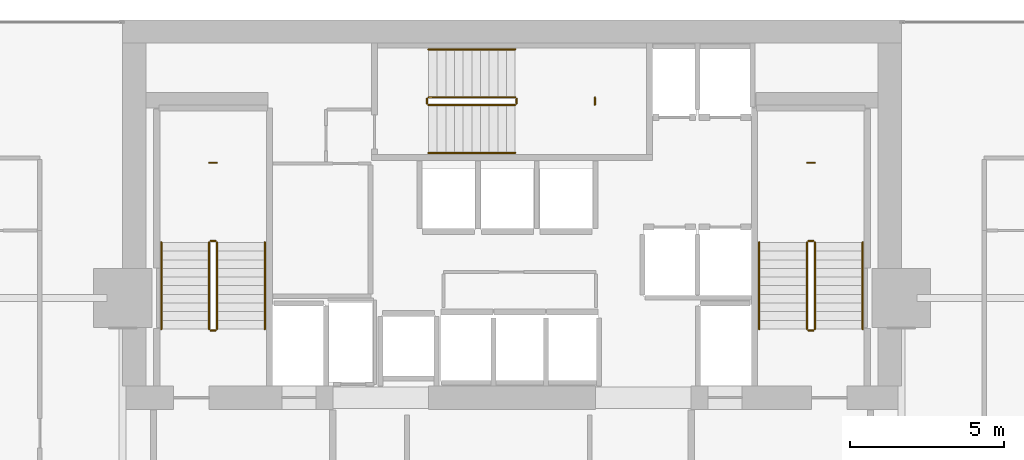
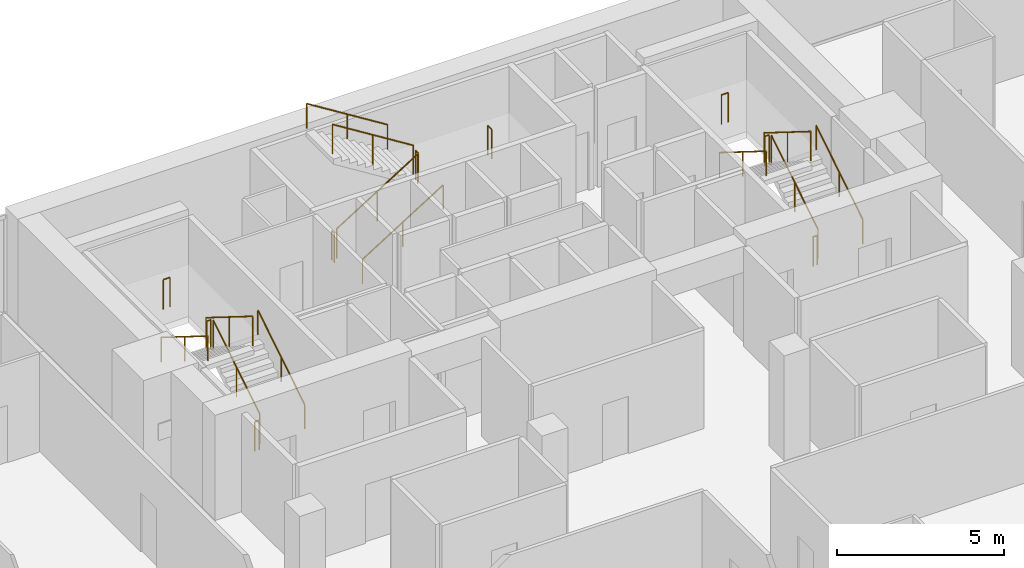
# One storey, part 32 of 32: 21 railings.
"""IFC4 building model written with IfcOpenShell, lengths in metres."""

from ifc_helpers import new_model, si_unit, direction, frame, origin, origin_2d, place, context, subcontext, project, spatial, circle, extrude, material, type_object, element, save


model = new_model("IFC4")

# Units and contexts
model_context = context("Model", 3, precision=1e-05, world=origin(), true_north=direction((0.0, 1.0)))
body_context = subcontext(model_context, "Body", "Model", "MODEL_VIEW")
ifc_project = project(units=[si_unit("LENGTHUNIT", "METRE"), si_unit("AREAUNIT", "SQUARE_METRE"), si_unit("VOLUMEUNIT", "CUBIC_METRE"), si_unit("PLANEANGLEUNIT", "RADIAN"), si_unit("MASSUNIT", "GRAM", prefix="KILO")], contexts=[model_context])

# Site, building, storey
site_placement = place(None, origin())
site = spatial("IfcSite", under=ifc_project, at=site_placement, CompositionType="ELEMENT")
building_placement = place(site_placement, origin())
building = spatial("IfcBuilding", under=site, at=building_placement, Name="Maruvema Waterfront Hotel and Observation Tower", CompositionType="ELEMENT")
storey_placement = place(building_placement, frame((0.0, 0.0, 162.050048828125)))
storey = spatial("IfcBuildingStorey", under=building, at=storey_placement, Name="L39", CompositionType="ELEMENT", Elevation=162.050048828125)

# Railings
ifc_material_1 = material(Name="Brushed stainless steel Grade 316", Category="steel")
railing_type_1 = type_object("IfcRailingType", Name="Ramp Continuous Wall Handrail 920 mm", PredefinedType="HANDRAIL", material=ifc_material_1)
railing_1_placement = place(storey_placement, frame((29.800048828125, 44.0, 0.175048828125)))
element("IfcRailing", 1, at=railing_1_placement, inside=storey, type_object=railing_type_1, Name="L39 ST-01 stair handrail 1", PredefinedType="HANDRAIL", context=body_context, shape_type="SweptSolid", body=[
    extrude(circle(Radius=0.02392578125, at=origin_2d()), frame((0.0, 0.0, 0.89599609375), z_axis=(0.0, 0.848002457836, 0.529992293815), x_axis=(-1.0, 0.0, 0.0)), (0.0, 0.0, 1.0), 3.302001953125),
    extrude(circle(Radius=0.02099609375, at=origin_2d()), origin(), (0.0, 0.0, 1.0), 0.871826171875),
    extrude(circle(Radius=0.02099609375, at=origin_2d()), frame((0.0, 1.39990234375, 0.875)), (0.0, 0.0, 1.0), 0.871826171875),
    extrude(circle(Radius=0.02099609375, at=origin_2d()), frame((0.0, 2.800048828125, 1.75)), (0.0, 0.0, 1.0), 0.871826171875),
])
railing_2_placement = place(storey_placement, frame((26.449951171875, 46.800048828125, 2.099853515625)))
element("IfcRailing", 2, at=railing_2_placement, inside=storey, type_object=railing_type_1, Name="L39 ST-01 stair handrail 2", PredefinedType="HANDRAIL", context=body_context, shape_type="SweptSolid", body=[
    extrude(circle(Radius=0.02392578125, at=origin_2d()), frame((0.0, 0.0, 0.89599609375), z_axis=(0.0, -0.848002457836, 0.529992293815), x_axis=(1.0, 0.0, 0.0)), (0.0, 0.0, 1.0), 3.302001953125),
    extrude(circle(Radius=0.02099609375, at=origin_2d()), origin(), (0.0, 0.0, 1.0), 0.871826171875),
    extrude(circle(Radius=0.02099609375, at=origin_2d()), frame((0.0, -1.39990234375, 0.875)), (0.0, 0.0, 1.0), 0.871826171875),
    extrude(circle(Radius=0.02099609375, at=origin_2d()), frame((0.0, -2.800048828125, 1.75)), (0.0, 0.0, 1.0), 0.871826171875),
])
railing_3_placement = place(storey_placement, frame((35.10009765625, 49.699951171875, 0.175048828125)))
element("IfcRailing", 3, at=railing_3_placement, inside=storey, type_object=railing_type_1, Name="L39 ST-02 stair handrail 1", PredefinedType="HANDRAIL", context=body_context, shape_type="SweptSolid", body=[
    extrude(circle(Radius=0.02392578125, at=origin_2d()), frame((0.0, 0.0, 0.89599609375), z_axis=(0.847981687118, 0.0, 0.530025526095), x_axis=(0.0, 1.0, 0.0)), (0.0, 0.0, 1.0), 3.3017578125),
    extrude(circle(Radius=0.02099609375, at=origin_2d()), origin(), (0.0, 0.0, 1.0), 0.871826171875),
    extrude(circle(Radius=0.02099609375, at=origin_2d()), frame((1.39990234375, 0.0, 0.875)), (0.0, 0.0, 1.0), 0.871826171875),
    extrude(circle(Radius=0.02099609375, at=origin_2d()), frame((2.7998046875, 0.0, 1.75)), (0.0, 0.0, 1.0), 0.871826171875),
])
railing_4_placement = place(storey_placement, frame((37.89990234375, 53.050048828125, 2.099853515625)))
element("IfcRailing", 4, at=railing_4_placement, inside=storey, type_object=railing_type_1, Name="L39 ST-02 stair handrail 2", PredefinedType="HANDRAIL", context=body_context, shape_type="SweptSolid", body=[
    extrude(circle(Radius=0.02392578125, at=origin_2d()), frame((0.0, 0.0, 0.89599609375), z_axis=(-0.847981687118, 0.0, 0.530025526095), x_axis=(0.0, -1.0, 0.0)), (0.0, 0.0, 1.0), 3.3017578125),
    extrude(circle(Radius=0.02099609375, at=origin_2d()), origin(), (0.0, 0.0, 1.0), 0.871826171875),
    extrude(circle(Radius=0.02099609375, at=origin_2d()), frame((-1.39990234375, 0.0, 0.875)), (0.0, 0.0, 1.0), 0.871826171875),
    extrude(circle(Radius=0.02099609375, at=origin_2d()), frame((-2.7998046875, 0.0, 1.75)), (0.0, 0.0, 1.0), 0.871826171875),
])
railing_5_placement = place(storey_placement, frame((49.14990234375, 44.0, 0.175048828125)))
element("IfcRailing", 5, at=railing_5_placement, inside=storey, type_object=railing_type_1, Name="L39 ST-03 stair handrail 1", PredefinedType="HANDRAIL", context=body_context, shape_type="SweptSolid", body=[
    extrude(circle(Radius=0.02392578125, at=origin_2d()), frame((0.0, 0.0, 0.89599609375), z_axis=(0.0, 0.848002457836, 0.529992293815), x_axis=(-1.0, 0.0, 0.0)), (0.0, 0.0, 1.0), 3.302001953125),
    extrude(circle(Radius=0.02099609375, at=origin_2d()), origin(), (0.0, 0.0, 1.0), 0.871826171875),
    extrude(circle(Radius=0.02099609375, at=origin_2d()), frame((0.0, 1.39990234375, 0.875)), (0.0, 0.0, 1.0), 0.871826171875),
    extrude(circle(Radius=0.02099609375, at=origin_2d()), frame((0.0, 2.800048828125, 1.75)), (0.0, 0.0, 1.0), 0.871826171875),
])
railing_6_placement = place(storey_placement, frame((45.800048828125, 46.800048828125, 2.099853515625)))
element("IfcRailing", 6, at=railing_6_placement, inside=storey, type_object=railing_type_1, Name="L39 ST-03 stair handrail 2", PredefinedType="HANDRAIL", context=body_context, shape_type="SweptSolid", body=[
    extrude(circle(Radius=0.02392578125, at=origin_2d()), frame((0.0, 0.0, 0.89599609375), z_axis=(0.0, -0.848002457836, 0.529992293815), x_axis=(1.0, 0.0, 0.0)), (0.0, 0.0, 1.0), 3.302001953125),
    extrude(circle(Radius=0.02099609375, at=origin_2d()), origin(), (0.0, 0.0, 1.0), 0.871826171875),
    extrude(circle(Radius=0.02099609375, at=origin_2d()), frame((0.0, -1.39990234375, 0.875)), (0.0, 0.0, 1.0), 0.871826171875),
    extrude(circle(Radius=0.02099609375, at=origin_2d()), frame((0.0, -2.800048828125, 1.75)), (0.0, 0.0, 1.0), 0.871826171875),
])
ifc_material_2 = material(Name="Brushed stainless steel Grade 316", Category="steel")
railing_type_2 = type_object("IfcRailingType", Name="Ramp and Terrace Guard Balustrade 1100 mm", PredefinedType="BALUSTRADE", material=ifc_material_2)
railing_7_placement = place(storey_placement, frame((28.25, 44.0, 0.175048828125)))
element("IfcRailing", 7, at=railing_7_placement, inside=storey, type_object=railing_type_2, Name="L39 ST-01 stair guard 1", PredefinedType="BALUSTRADE", context=body_context, shape_type="SweptSolid", body=[
    extrude(circle(Radius=0.02392578125, at=origin_2d()), frame((0.0, 0.0, 1.076171875), z_axis=(0.0, 0.848002457836, 0.529992293815), x_axis=(-1.0, 0.0, 0.0)), (0.0, 0.0, 1.0), 3.302001953125),
    extrude(circle(Radius=0.02099609375, at=origin_2d()), origin(), (0.0, 0.0, 1.0), 1.052001953125),
    extrude(circle(Radius=0.02099609375, at=origin_2d()), frame((0.0, 1.39990234375, 0.875)), (0.0, 0.0, 1.0), 1.052001953125),
    extrude(circle(Radius=0.02099609375, at=origin_2d()), frame((0.0, 2.800048828125, 1.75)), (0.0, 0.0, 1.0), 1.052001953125),
])
railing_8_placement = place(storey_placement, frame((28.199951171875, 46.85009765625, 1.925048828125)))
element("IfcRailing", 8, at=railing_8_placement, inside=storey, type_object=railing_type_2, Name="L39 ST-01 stair guard 2", PredefinedType="BALUSTRADE", context=body_context, shape_type="SweptSolid", body=[
    extrude(circle(Radius=0.02392578125, at=origin_2d()), frame((0.0, 0.0, 1.076171875), z_axis=(-1.0, 0.0, 0.0), x_axis=(0.0, -1.0, 0.0)), (0.0, 0.0, 1.0), 0.14990234375),
    extrude(circle(Radius=0.02099609375, at=origin_2d()), origin(), (0.0, 0.0, 1.0), 1.052001953125),
    extrude(circle(Radius=0.02099609375, at=origin_2d()), frame((-0.14990234375, 0.0, 0.0)), (0.0, 0.0, 1.0), 1.052001953125),
])
railing_9_placement = place(storey_placement, frame((28.0, 46.800048828125, 2.099853515625)))
element("IfcRailing", 9, at=railing_9_placement, inside=storey, type_object=railing_type_2, Name="L39 ST-01 stair guard 3", PredefinedType="BALUSTRADE", context=body_context, shape_type="SweptSolid", body=[
    extrude(circle(Radius=0.02392578125, at=origin_2d()), frame((0.0, 0.0, 1.076171875), z_axis=(0.0, -0.848002457836, 0.529992293815), x_axis=(1.0, 0.0, 0.0)), (0.0, 0.0, 1.0), 3.302001953125),
    extrude(circle(Radius=0.02099609375, at=origin_2d()), origin(), (0.0, 0.0, 1.0), 1.052001953125),
    extrude(circle(Radius=0.02099609375, at=origin_2d()), frame((0.0, -1.39990234375, 0.875)), (0.0, 0.0, 1.0), 1.052001953125),
    extrude(circle(Radius=0.02099609375, at=origin_2d()), frame((0.0, -2.800048828125, 1.75)), (0.0, 0.0, 1.0), 1.052001953125),
])
railing_10_placement = place(storey_placement, frame((28.199951171875, 43.949951171875, 0.0)))
element("IfcRailing", 10, at=railing_10_placement, inside=storey, type_object=railing_type_2, Name="L39 ST-01 stair guard 4", PredefinedType="BALUSTRADE", context=body_context, shape_type="SweptSolid", body=[
    extrude(circle(Radius=0.02392578125, at=origin_2d()), frame((0.0, 0.0, 1.076171875), z_axis=(-1.0, 0.0, 0.0), x_axis=(0.0, -1.0, 0.0)), (0.0, 0.0, 1.0), 0.14990234375),
    extrude(circle(Radius=0.02099609375, at=origin_2d()), origin(), (0.0, 0.0, 1.0), 1.052001953125),
    extrude(circle(Radius=0.02099609375, at=origin_2d()), frame((-0.14990234375, 0.0, 0.0)), (0.0, 0.0, 1.0), 1.052001953125),
])
railing_11_placement = place(storey_placement, frame((28.239990234375, 49.3798828125, 1.925048828125)))
element("IfcRailing", 11, at=railing_11_placement, inside=storey, type_object=railing_type_2, Name="L39 ST-01 Half-Landing Slot Guard", PredefinedType="BALUSTRADE", context=body_context, shape_type="SweptSolid", body=[
    extrude(circle(Radius=0.02392578125, at=origin_2d()), frame((0.0, 0.0, 1.076171875), z_axis=(-1.0, 0.0, 0.0), x_axis=(0.0, -1.0, 0.0)), (0.0, 0.0, 1.0), 0.22998046875),
    extrude(circle(Radius=0.02099609375, at=origin_2d()), origin(), (0.0, 0.0, 1.0), 1.052001953125),
    extrude(circle(Radius=0.02099609375, at=origin_2d()), frame((-0.22998046875, 0.0, 0.0)), (0.0, 0.0, 1.0), 1.052001953125),
])
railing_12_placement = place(storey_placement, frame((35.10009765625, 51.25, 0.175048828125)))
element("IfcRailing", 12, at=railing_12_placement, inside=storey, type_object=railing_type_2, Name="L39 ST-02 stair guard 1", PredefinedType="BALUSTRADE", context=body_context, shape_type="SweptSolid", body=[
    extrude(circle(Radius=0.02392578125, at=origin_2d()), frame((0.0, 0.0, 1.076171875), z_axis=(0.847981687118, 0.0, 0.530025526095), x_axis=(0.0, 1.0, 0.0)), (0.0, 0.0, 1.0), 3.3017578125),
    extrude(circle(Radius=0.02099609375, at=origin_2d()), origin(), (0.0, 0.0, 1.0), 1.052001953125),
    extrude(circle(Radius=0.02099609375, at=origin_2d()), frame((1.39990234375, 0.0, 0.875)), (0.0, 0.0, 1.0), 1.052001953125),
    extrude(circle(Radius=0.02099609375, at=origin_2d()), frame((2.7998046875, 0.0, 1.75)), (0.0, 0.0, 1.0), 1.052001953125),
])
railing_13_placement = place(storey_placement, frame((37.949951171875, 51.300048828125, 1.925048828125)))
element("IfcRailing", 13, at=railing_13_placement, inside=storey, type_object=railing_type_2, Name="L39 ST-02 stair guard 2", PredefinedType="BALUSTRADE", context=body_context, shape_type="SweptSolid", body=[
    extrude(circle(Radius=0.02392578125, at=origin_2d()), frame((0.0, 0.0, 1.076171875), z_axis=(0.0, 1.0, 0.0), x_axis=(-1.0, 0.0, 0.0)), (0.0, 0.0, 1.0), 0.14990234375),
    extrude(circle(Radius=0.02099609375, at=origin_2d()), origin(), (0.0, 0.0, 1.0), 1.052001953125),
    extrude(circle(Radius=0.02099609375, at=origin_2d()), frame((0.0, 0.14990234375, 0.0)), (0.0, 0.0, 1.0), 1.052001953125),
])
railing_14_placement = place(storey_placement, frame((37.89990234375, 51.5, 2.099853515625)))
element("IfcRailing", 14, at=railing_14_placement, inside=storey, type_object=railing_type_2, Name="L39 ST-02 stair guard 3", PredefinedType="BALUSTRADE", context=body_context, shape_type="SweptSolid", body=[
    extrude(circle(Radius=0.02392578125, at=origin_2d()), frame((0.0, 0.0, 1.076171875), z_axis=(-0.847981687118, 0.0, 0.530025526095), x_axis=(0.0, -1.0, 0.0)), (0.0, 0.0, 1.0), 3.3017578125),
    extrude(circle(Radius=0.02099609375, at=origin_2d()), origin(), (0.0, 0.0, 1.0), 1.052001953125),
    extrude(circle(Radius=0.02099609375, at=origin_2d()), frame((-1.39990234375, 0.0, 0.875)), (0.0, 0.0, 1.0), 1.052001953125),
    extrude(circle(Radius=0.02099609375, at=origin_2d()), frame((-2.7998046875, 0.0, 1.75)), (0.0, 0.0, 1.0), 1.052001953125),
])
railing_15_placement = place(storey_placement, frame((35.050048828125, 51.300048828125, 0.0)))
element("IfcRailing", 15, at=railing_15_placement, inside=storey, type_object=railing_type_2, Name="L39 ST-02 stair guard 4", PredefinedType="BALUSTRADE", context=body_context, shape_type="SweptSolid", body=[
    extrude(circle(Radius=0.02392578125, at=origin_2d()), frame((0.0, 0.0, 1.076171875), z_axis=(0.0, 1.0, 0.0), x_axis=(-1.0, 0.0, 0.0)), (0.0, 0.0, 1.0), 0.14990234375),
    extrude(circle(Radius=0.02099609375, at=origin_2d()), origin(), (0.0, 0.0, 1.0), 1.052001953125),
    extrude(circle(Radius=0.02099609375, at=origin_2d()), frame((0.0, 0.14990234375, 0.0)), (0.0, 0.0, 1.0), 1.052001953125),
])
railing_16_placement = place(storey_placement, frame((40.47998046875, 51.260009765625, 1.925048828125)))
element("IfcRailing", 16, at=railing_16_placement, inside=storey, type_object=railing_type_2, Name="L39 ST-02 Half-Landing Slot Guard", PredefinedType="BALUSTRADE", context=body_context, shape_type="SweptSolid", body=[
    extrude(circle(Radius=0.02392578125, at=origin_2d()), frame((0.0, 0.0, 1.076171875), z_axis=(0.0, 1.0, 0.0), x_axis=(-1.0, 0.0, 0.0)), (0.0, 0.0, 1.0), 0.22998046875),
    extrude(circle(Radius=0.02099609375, at=origin_2d()), origin(), (0.0, 0.0, 1.0), 1.052001953125),
    extrude(circle(Radius=0.02099609375, at=origin_2d()), frame((0.0, 0.22998046875, 0.0)), (0.0, 0.0, 1.0), 1.052001953125),
])
railing_17_placement = place(storey_placement, frame((47.60009765625, 44.0, 0.175048828125)))
element("IfcRailing", 17, at=railing_17_placement, inside=storey, type_object=railing_type_2, Name="L39 ST-03 stair guard 1", PredefinedType="BALUSTRADE", context=body_context, shape_type="SweptSolid", body=[
    extrude(circle(Radius=0.02392578125, at=origin_2d()), frame((0.0, 0.0, 1.076171875), z_axis=(0.0, 0.848002457836, 0.529992293815), x_axis=(-1.0, 0.0, 0.0)), (0.0, 0.0, 1.0), 3.302001953125),
    extrude(circle(Radius=0.02099609375, at=origin_2d()), origin(), (0.0, 0.0, 1.0), 1.052001953125),
    extrude(circle(Radius=0.02099609375, at=origin_2d()), frame((0.0, 1.39990234375, 0.875)), (0.0, 0.0, 1.0), 1.052001953125),
    extrude(circle(Radius=0.02099609375, at=origin_2d()), frame((0.0, 2.800048828125, 1.75)), (0.0, 0.0, 1.0), 1.052001953125),
])
railing_18_placement = place(storey_placement, frame((47.550048828125, 46.85009765625, 1.925048828125)))
element("IfcRailing", 18, at=railing_18_placement, inside=storey, type_object=railing_type_2, Name="L39 ST-03 stair guard 2", PredefinedType="BALUSTRADE", context=body_context, shape_type="SweptSolid", body=[
    extrude(circle(Radius=0.02392578125, at=origin_2d()), frame((0.0, 0.0, 1.076171875), z_axis=(-1.0, 0.0, 0.0), x_axis=(0.0, -1.0, 0.0)), (0.0, 0.0, 1.0), 0.150146484375),
    extrude(circle(Radius=0.02099609375, at=origin_2d()), origin(), (0.0, 0.0, 1.0), 1.052001953125),
    extrude(circle(Radius=0.02099609375, at=origin_2d()), frame((-0.150146484375, 0.0, 0.0)), (0.0, 0.0, 1.0), 1.052001953125),
])
railing_19_placement = place(storey_placement, frame((47.35009765625, 46.800048828125, 2.099853515625)))
element("IfcRailing", 19, at=railing_19_placement, inside=storey, type_object=railing_type_2, Name="L39 ST-03 stair guard 3", PredefinedType="BALUSTRADE", context=body_context, shape_type="SweptSolid", body=[
    extrude(circle(Radius=0.02392578125, at=origin_2d()), frame((0.0, 0.0, 1.076171875), z_axis=(0.0, -0.848002457836, 0.529992293815), x_axis=(1.0, 0.0, 0.0)), (0.0, 0.0, 1.0), 3.302001953125),
    extrude(circle(Radius=0.02099609375, at=origin_2d()), origin(), (0.0, 0.0, 1.0), 1.052001953125),
    extrude(circle(Radius=0.02099609375, at=origin_2d()), frame((0.0, -1.39990234375, 0.875)), (0.0, 0.0, 1.0), 1.052001953125),
    extrude(circle(Radius=0.02099609375, at=origin_2d()), frame((0.0, -2.800048828125, 1.75)), (0.0, 0.0, 1.0), 1.052001953125),
])
railing_20_placement = place(storey_placement, frame((47.550048828125, 43.949951171875, 0.0)))
element("IfcRailing", 20, at=railing_20_placement, inside=storey, type_object=railing_type_2, Name="L39 ST-03 stair guard 4", PredefinedType="BALUSTRADE", context=body_context, shape_type="SweptSolid", body=[
    extrude(circle(Radius=0.02392578125, at=origin_2d()), frame((0.0, 0.0, 1.076171875), z_axis=(-1.0, 0.0, 0.0), x_axis=(0.0, -1.0, 0.0)), (0.0, 0.0, 1.0), 0.150146484375),
    extrude(circle(Radius=0.02099609375, at=origin_2d()), origin(), (0.0, 0.0, 1.0), 1.052001953125),
    extrude(circle(Radius=0.02099609375, at=origin_2d()), frame((-0.150146484375, 0.0, 0.0)), (0.0, 0.0, 1.0), 1.052001953125),
])
railing_21_placement = place(storey_placement, frame((47.590087890625, 49.3798828125, 1.925048828125)))
element("IfcRailing", 21, at=railing_21_placement, inside=storey, type_object=railing_type_2, Name="L39 ST-03 Half-Landing Slot Guard", PredefinedType="BALUSTRADE", context=body_context, shape_type="SweptSolid", body=[
    extrude(circle(Radius=0.02392578125, at=origin_2d()), frame((0.0, 0.0, 1.076171875), z_axis=(-1.0, 0.0, 0.0), x_axis=(0.0, -1.0, 0.0)), (0.0, 0.0, 1.0), 0.22998046875),
    extrude(circle(Radius=0.02099609375, at=origin_2d()), origin(), (0.0, 0.0, 1.0), 1.052001953125),
    extrude(circle(Radius=0.02099609375, at=origin_2d()), frame((-0.22998046875, 0.0, 0.0)), (0.0, 0.0, 1.0), 1.052001953125),
])

save(model, "model.ifc")
